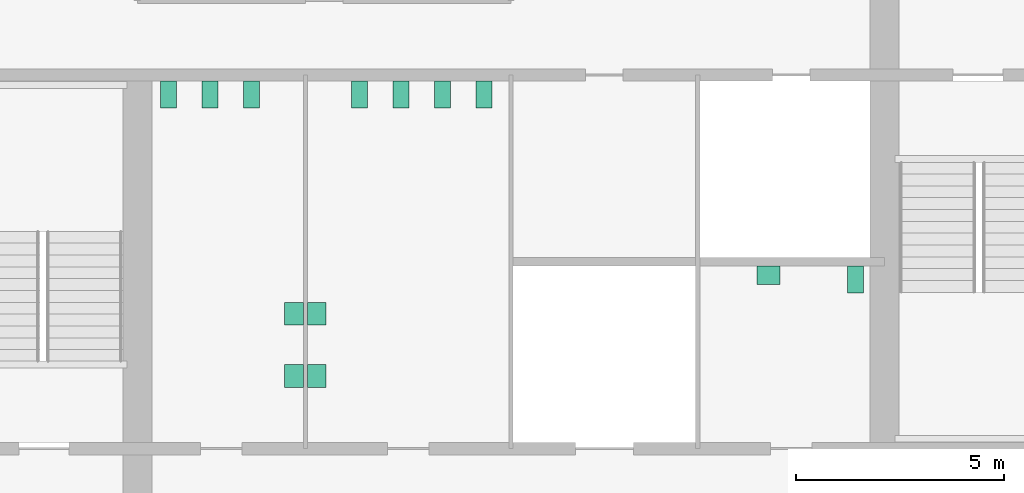
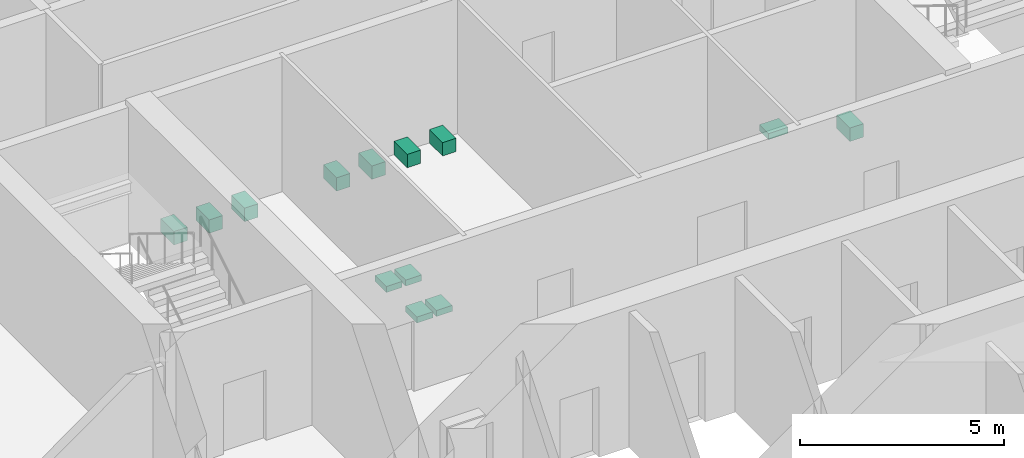
# One storey, part 13 of 13: 13 sanitary terminals.
"""IFC4 building model written with IfcOpenShell, lengths in metres."""

from ifc_helpers import new_model, si_unit, direction, frame, origin, origin_2d, place, context, subcontext, project, spatial, rectangle, extrude, material, type_object, element, save


model = new_model("IFC4")

# Units and contexts
model_context = context("Model", 3, precision=1e-05, world=origin(), true_north=direction((0.0, 1.0)))
body_context = subcontext(model_context, "Body", "Model", "MODEL_VIEW")
ifc_project = project(units=[si_unit("LENGTHUNIT", "METRE"), si_unit("AREAUNIT", "SQUARE_METRE"), si_unit("VOLUMEUNIT", "CUBIC_METRE"), si_unit("PLANEANGLEUNIT", "RADIAN"), si_unit("MASSUNIT", "GRAM", prefix="KILO")], contexts=[model_context])

# Site, building, storey
site_placement = place(None, origin())
site = spatial("IfcSite", under=ifc_project, at=site_placement, CompositionType="ELEMENT")
building_placement = place(site_placement, origin())
building = spatial("IfcBuilding", under=site, at=building_placement, Name="Corais Broadcast Tower", CompositionType="ELEMENT")
storey_placement = place(building_placement, frame((0.0, 0.0, 83.60009765625)))
storey = spatial("IfcBuildingStorey", under=building, at=storey_placement, Name="L18", CompositionType="ELEMENT", Elevation=83.60009765625)

# Sanitary terminals
ifc_material_1 = material(Name="Vitreous china", Category="ceramic")
sanitary_terminal_type_1 = type_object("IfcSanitaryTerminalType", Name="WC pan 380x650", PredefinedType="TOILETPAN", material=ifc_material_1)
for number, where, z_axis, x_axis, name in (
    (1, (18.75, 31.02490234375, 0.0), (0.0, 0.0, 1.0), (1.0, 0.0, 0.0), "SW1 WC pan, male toilets L18"),
    (2, (19.75, 31.02490234375, 0.0), (0.0, 0.0, 1.0), (1.0, 0.0, 0.0), "SW1 WC pan, male toilets L18"),
    (3, (20.75, 31.02490234375, 0.0), (0.0, 0.0, 1.0), (1.0, 0.0, 0.0), "SW1 WC pan, male toilets L18"),
    (4, (23.35009765625, 31.02490234375, 0.0), (0.0, 0.0, 1.0), (1.0, 0.0, 0.0), "SW1 WC pan, female toilets L18"),
    (5, (24.35009765625, 31.02490234375, 0.0), (0.0, 0.0, 1.0), (1.0, 0.0, 0.0), "SW1 WC pan, female toilets L18"),
    (6, (25.35009765625, 31.02490234375, 0.0), (0.0, 0.0, 1.0), (1.0, 0.0, 0.0), "SW1 WC pan, female toilets L18"),
    (7, (26.35009765625, 31.02490234375, 0.0), (0.0, 0.0, 1.0), (1.0, 0.0, 0.0), "SW1 WC pan, female toilets L18"),
    (8, (35.300048828125, 26.574951171875, 0.0), (0.0, 0.0, 1.0), (1.0, 0.0, 0.0), "SW1 WC pan, accessible WC L18"),
):
    element("IfcSanitaryTerminal", number, at=place(storey_placement, frame(where, z_axis=z_axis, x_axis=x_axis)), inside=storey, type_object=sanitary_terminal_type_1, Name=name, PredefinedType="TOILETPAN", context=body_context, shape_type="SweptSolid", body=[
        extrude(rectangle(XDim=0.3798828125, YDim=0.64990234375, at=origin_2d()), origin(), (0.0, 0.0, 1.0), 0.39990234375),
    ])
ifc_material_2 = material(Name="Vitreous china", Category="ceramic")
sanitary_terminal_type_2 = type_object("IfcSanitaryTerminalType", Name="Wash basin 550x450", PredefinedType="WASHHANDBASIN", material=ifc_material_2)
for number, where, z_axis, x_axis, name in (
    (9, (21.77490234375, 24.25, 0.69970703125), (0.0, 0.0, 1.0), (1.0, 0.0, 0.0), "WB1 wash basin, male toilets L18"),
    (10, (21.77490234375, 25.75, 0.69970703125), (0.0, 0.0, 1.0), (1.0, 0.0, 0.0), "WB1 wash basin, male toilets L18"),
    (11, (22.324951171875, 24.25, 0.69970703125), (0.0, 0.0, 1.0), (1.0, 0.0, 0.0), "WB1 wash basin, female toilets L18"),
    (12, (22.324951171875, 25.75, 0.69970703125), (0.0, 0.0, 1.0), (1.0, 0.0, 0.0), "WB1 wash basin, female toilets L18"),
):
    element("IfcSanitaryTerminal", number, at=place(storey_placement, frame(where, z_axis=z_axis, x_axis=x_axis)), inside=storey, type_object=sanitary_terminal_type_2, Name=name, PredefinedType="WASHHANDBASIN", context=body_context, shape_type="SweptSolid", body=[
        extrude(rectangle(XDim=0.449951171875, YDim=0.550048828125, at=origin_2d()), origin(), (0.0, 0.0, 1.0), 0.179931640625),
    ])
sanitary_terminal_placement = place(storey_placement, frame((33.199951171875, 26.675048828125, 0.69970703125), z_axis=(0.0, 0.0, 1.0), x_axis=(1.0, 0.0, 0.0)))
element("IfcSanitaryTerminal", 13, at=sanitary_terminal_placement, inside=storey, type_object=sanitary_terminal_type_2, Name="WB1 wash basin, accessible WC L18", PredefinedType="WASHHANDBASIN", context=body_context, shape_type="SweptSolid", body=[
    extrude(rectangle(XDim=0.550048828125, YDim=0.449951171875, at=origin_2d()), origin(), (0.0, 0.0, 1.0), 0.179931640625),
])

save(model, "model.ifc")
